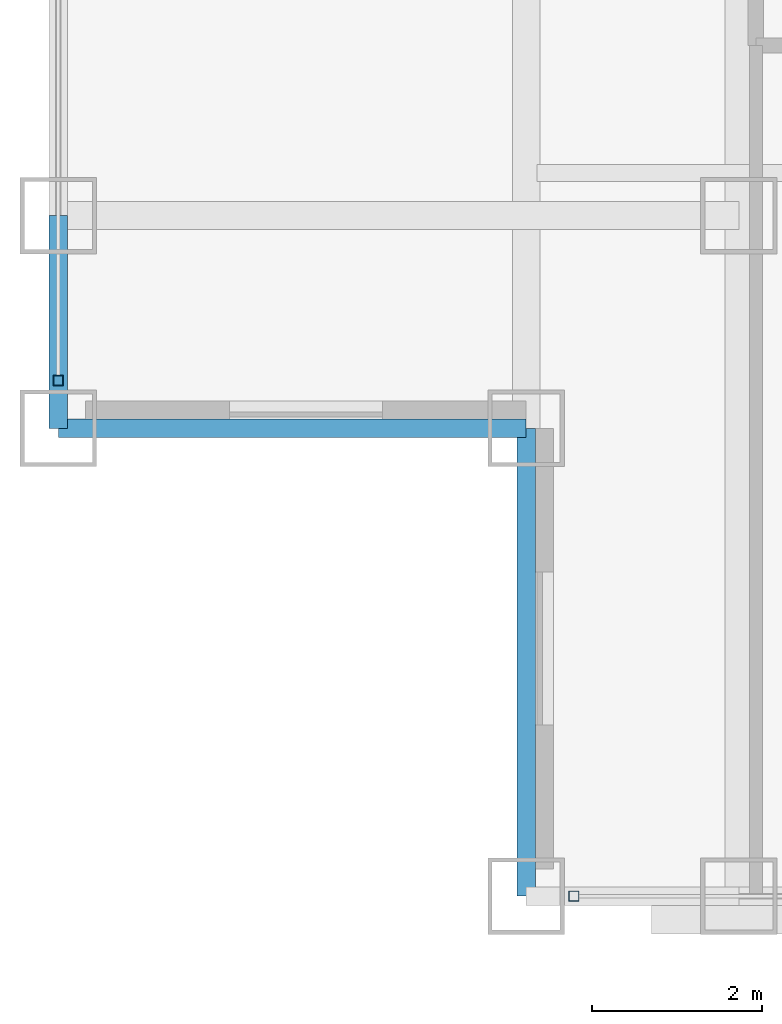
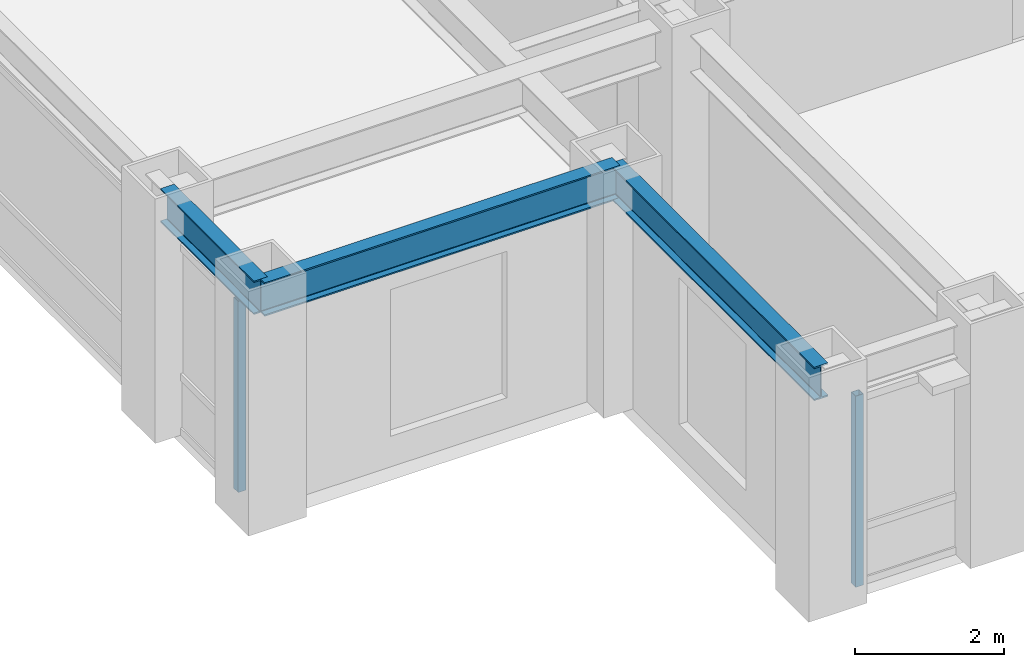
# One storey, part 2 of 27: 3 beams, 2 members, 2 elements without a shape of their own.
"""IFC4 building model written with IfcOpenShell, lengths in metres."""

from ifc_helpers import new_model, si_unit, direction, frame, origin, origin_2d, place, context, subcontext, project, spatial, hollow_rectangle, i_section, extrude, source, transform, mapped, material, material_profile, profile_set, type_object, element, aggregate, save


model = new_model("IFC4")

# Units and contexts
model_context = context("Model", 3, precision=1e-05, world=origin(), true_north=direction((0.0, 1.0)))
body_context = subcontext(model_context, "Body", "Model", "MODEL_VIEW")
ifc_project = project(units=[si_unit("LENGTHUNIT", "METRE"), si_unit("AREAUNIT", "SQUARE_METRE"), si_unit("VOLUMEUNIT", "CUBIC_METRE"), si_unit("PLANEANGLEUNIT", "RADIAN"), si_unit("MASSUNIT", "GRAM", prefix="KILO")], contexts=[model_context])

# Site, building, storey
site_placement = place(None, origin())
site = spatial("IfcSite", under=ifc_project, at=site_placement, CompositionType="ELEMENT")
building_placement = place(site_placement, origin())
building = spatial("IfcBuilding", under=site, at=building_placement, Name="Khorayat Bourse Tower", CompositionType="ELEMENT")
storey_placement = place(building_placement, frame((0.0, 0.0, 313.5)))
storey = spatial("IfcBuildingStorey", under=building, at=storey_placement, Name="L74", CompositionType="ELEMENT", Elevation=313.5)

# Beams
ifc_material_1 = material(Name="Steel ASTM A992 Grade 50", Category="steel")
ifc_material_profile_1 = material_profile(ifc_material_1, i_section(OverallWidth=0.214111328125, OverallDepth=0.549072265625, WebThickness=0.0146484375, FlangeThickness=0.023681640625, FilletRadius=0.013916015625, at=origin_2d()), Name="W530X138")
ifc_profile_set_1 = profile_set([ifc_material_profile_1], Name="Steel ASTM A992 Grade 50")
beam_type = type_object("IfcBeamType", Name="BM-SPAN-530", PredefinedType="SPANDREL", material=ifc_profile_set_1)
shared_shape_1 = source(origin(), body_context, "Body", "SweptSolid", [
    extrude(i_section(OverallWidth=0.214111328125, OverallDepth=0.549072265625, WebThickness=0.0146484375, FlangeThickness=0.023681640625, FilletRadius=0.013916015625, at=origin_2d()), origin(), (0.0, 0.0, 1.0), 2.5),
])
beam_placement = place(storey_placement, frame((-28.0, -22.5, 3.505615234375), z_axis=(0.0, 1.0, 0.0), x_axis=(-1.0, 0.0, 0.0)))
element("IfcBeam", 1, at=beam_placement, inside=storey, type_object=beam_type, Name="L74 BM-SPAN-530 BM-L74-SPN-061", PredefinedType="SPANDREL", context=body_context, shape_type="MappedRepresentation", body=[
    mapped(shared_shape_1, transform((0.0, 0.0, 0.0), scale=1.0)),
])
shared_shape_2 = source(origin(), body_context, "Body", "SweptSolid", [
    extrude(i_section(OverallWidth=0.214111328125, OverallDepth=0.549072265625, WebThickness=0.0146484375, FlangeThickness=0.023681640625, FilletRadius=0.013916015625, at=origin_2d()), origin(), (0.0, 0.0, 1.0), 5.5),
])
for number, where, z_axis, x_axis, name in (
    (2, (-28.0, -22.5, 3.505615234375), (1.0, 0.0, 0.0), (0.0, 1.0, 0.0), "L74 BM-SPAN-530 BM-L74-SPN-062"),
    (3, (-22.5, -28.0, 3.505615234375), (0.0, 1.0, 0.0), (-1.0, 0.0, 0.0), "L74 BM-SPAN-530 BM-L74-SPN-063"),
):
    element("IfcBeam", number, at=place(storey_placement, frame(where, z_axis=z_axis, x_axis=x_axis)), inside=storey, type_object=beam_type, Name=name, PredefinedType="SPANDREL", context=body_context, shape_type="MappedRepresentation", body=[
        mapped(shared_shape_2, transform((0.0, 0.0, 0.0), scale=1.0)),
    ])

# Curtain wall, member
ifc_material_2 = material(Name="Aluminium EN AW-6063 T6", Category="aluminium")
curtain_wall_type = type_object("IfcCurtainWallType", Name="CW-SYS-04", PredefinedType="NOTDEFINED", material=ifc_material_2)
curtain_wall_1_placement = place(storey_placement, origin())
curtain_wall_1 = element("IfcCurtainWall", 4, at=curtain_wall_1_placement, inside=storey, type_object=curtain_wall_type, Name="L74 Curtain Wall CW-L74-S1", PredefinedType="NOTDEFINED")
ifc_material_profile_2 = material_profile(ifc_material_2, hollow_rectangle(XDim=0.1201171875, YDim=0.1201171875, WallThickness=0.0048828125, at=origin_2d()), Name="ALU 120x120x5")
ifc_profile_set_2 = profile_set([ifc_material_profile_2], Name="Aluminium EN AW-6063 T6")
member_type = type_object("IfcMemberType", Name="CWM-VERT-120", PredefinedType="MULLION", material=ifc_profile_set_2)
shared_shape_3 = source(origin(), body_context, "Body", "SweptSolid", [
    extrude(hollow_rectangle(XDim=0.1201171875, YDim=0.1201171875, WallThickness=0.0048828125, at=origin_2d()), origin(), (0.0, 0.0, 1.0), 3.1298828125),
])
member_1_placement = place(storey_placement, frame((-21.93994140625, -28.0, 0.0), z_axis=(0.0, 0.0, 1.0), x_axis=(0.0, 1.0, 0.0)))
member_1 = element("IfcMember", 5, at=member_1_placement, type_object=member_type, Name="CW-L74-S1 Vertical Mullion 1", PredefinedType="MULLION", context=body_context, shape_type="MappedRepresentation", body=[
    mapped(shared_shape_3, transform((0.0, 0.0, 0.0), scale=1.0)),
])
aggregate(curtain_wall_1, [member_1])

curtain_wall_2_placement = place(storey_placement, origin())
curtain_wall_2 = element("IfcCurtainWall", 6, at=curtain_wall_2_placement, inside=storey, type_object=curtain_wall_type, Name="L74 Curtain Wall CW-L74-W1", PredefinedType="NOTDEFINED")
member_2_placement = place(storey_placement, frame((-28.0, -21.93994140625, 0.0), z_axis=(0.0, 0.0, 1.0), x_axis=(-1.0, 0.0, 0.0)))
member_2 = element("IfcMember", 7, at=member_2_placement, type_object=member_type, Name="CW-L74-W1 Vertical Mullion 1", PredefinedType="MULLION", context=body_context, shape_type="MappedRepresentation", body=[
    mapped(shared_shape_3, transform((0.0, 0.0, 0.0), scale=1.0)),
])
aggregate(curtain_wall_2, [member_2])

save(model, "model.ifc")
